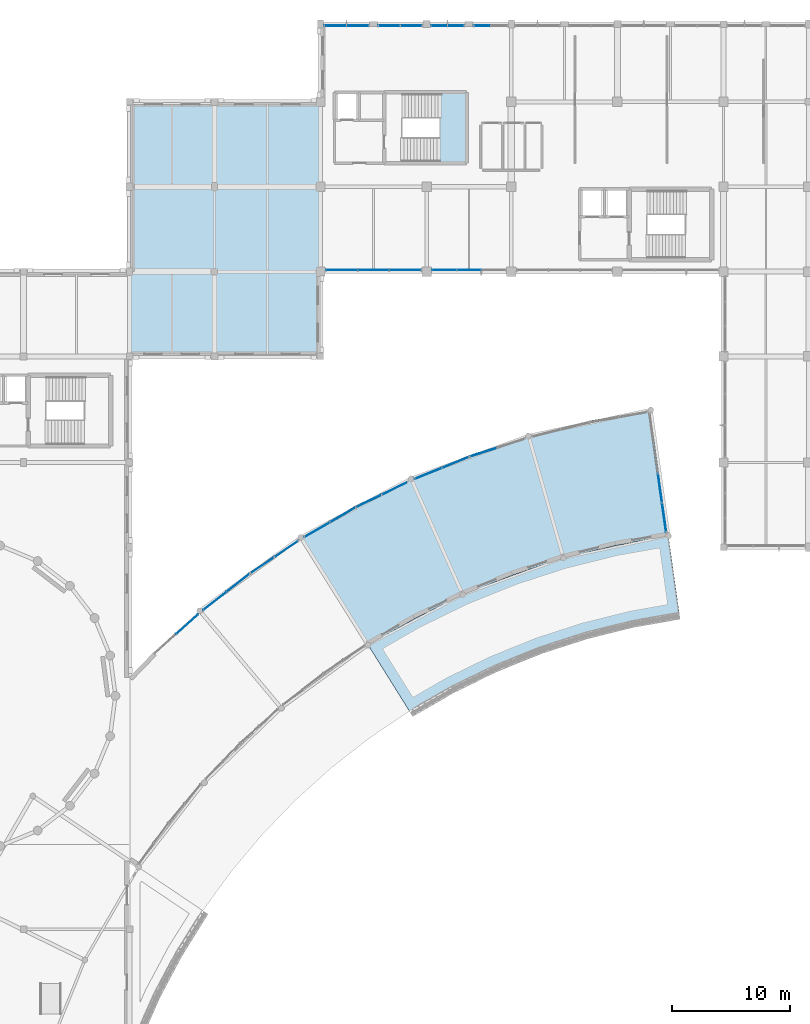
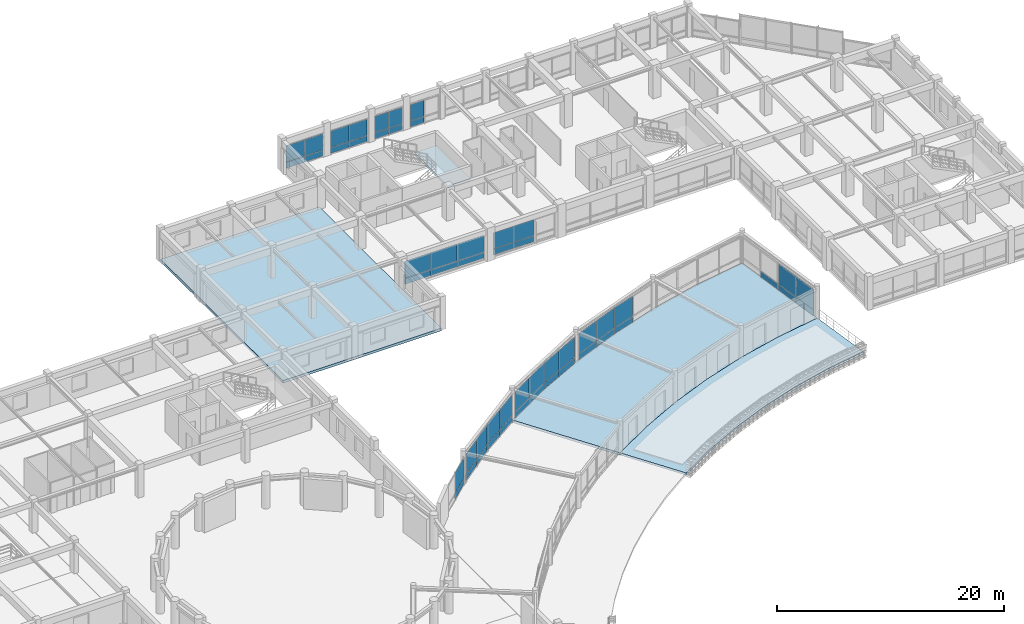
# One storey, part 46 of 74: 53 plates, 4 slabs, 16 elements without a shape of their own.
"""IFC4 building model written with IfcOpenShell, lengths in metres."""

from ifc_helpers import new_model, si_unit, direction, frame, frame_2d, origin, place, context, subcontext, project, spatial, polyline, rectangle, outline, extrude, material, layer, layer_set, type_object, element, aggregate, save


model = new_model("IFC4")

# Units and contexts
model_context = context("Model", 3, precision=1e-05, world=origin(), true_north=direction((0.0, 1.0)))
body_context = subcontext(model_context, "Body", "Model", "MODEL_VIEW")
ifc_project = project(units=[si_unit("LENGTHUNIT", "METRE"), si_unit("AREAUNIT", "SQUARE_METRE"), si_unit("VOLUMEUNIT", "CUBIC_METRE"), si_unit("PLANEANGLEUNIT", "RADIAN"), si_unit("MASSUNIT", "GRAM", prefix="KILO")], contexts=[model_context])

# Site, building, storey
site_placement = place(None, origin())
site = spatial("IfcSite", under=ifc_project, at=site_placement, CompositionType="ELEMENT")
building_placement = place(site_placement, origin())
building = spatial("IfcBuilding", under=site, at=building_placement, Name="Clarverna Civic Hall", CompositionType="ELEMENT")
storey_placement = place(building_placement, frame((0.0, 0.0, 9.60009765625)))
storey = spatial("IfcBuildingStorey", under=building, at=storey_placement, Name="L02", CompositionType="ELEMENT", Elevation=9.60009765625)

# Curtain wall, plates
ifc_material_1 = material(Name="Anodised Bronze Architectural Aluminium", Category="aluminium")
curtain_wall_type_1 = type_object("IfcCurtainWallType", Name="CW-01", PredefinedType="USERDEFINED", material=ifc_material_1)
curtain_wall_1_placement = place(storey_placement, origin())
curtain_wall_1 = element("IfcCurtainWall", 1, at=curtain_wall_1_placement, inside=storey, type_object=curtain_wall_type_1, Name="CW-01-030", ObjectType="UNITISED CURTAIN WALL", PredefinedType="USERDEFINED")
ifc_material_2 = material(Name="Solar-Control Argon Low-E Double Glazing", Category="glass")
ifc_layer_1 = layer(ifc_material_2, 0.031982421875)
ifc_layer_set_1 = layer_set([ifc_layer_1], Name="Solar-Control Argon Low-E Double Glazing")
plate_type_1 = type_object("IfcPlateType", Name="CWP-01", PredefinedType="CURTAIN_PANEL", material=ifc_layer_set_1)
plate_1_placement = place(storey_placement, frame((113.738037109375, 115.860107421875, 0.764892578125), z_axis=(0.0, 0.0, 1.0), x_axis=(1.0, 0.0, 0.0)))
plate_1 = element("IfcPlate", 2, at=plate_1_placement, type_object=plate_type_1, Name="CWP-01-244", PredefinedType="CURTAIN_PANEL", context=body_context, shape_type="SweptSolid", body=[
    extrude(rectangle(XDim=1.859375, YDim=0.031982421875, at=frame_2d((0.9296875, 0.0))), origin(), (0.0, 0.0, 1.0), 1.764892578125),
])
plate_2_placement = place(storey_placement, frame((115.62744140625, 115.860107421875, 0.764892578125), z_axis=(0.0, 0.0, 1.0), x_axis=(1.0, 0.0, 0.0)))
plate_2 = element("IfcPlate", 3, at=plate_2_placement, type_object=plate_type_1, Name="CWP-01-245", PredefinedType="CURTAIN_PANEL", context=body_context, shape_type="SweptSolid", body=[
    extrude(rectangle(XDim=1.859619140625, YDim=0.031982421875, at=frame_2d((0.9296875, 0.0))), origin(), (0.0, 0.0, 1.0), 1.764892578125),
])

curtain_wall_2_placement = place(storey_placement, origin())
curtain_wall_2 = element("IfcCurtainWall", 4, at=curtain_wall_2_placement, inside=storey, type_object=curtain_wall_type_1, Name="CW-01-031", ObjectType="UNITISED CURTAIN WALL", PredefinedType="USERDEFINED")
plate_3_placement = place(storey_placement, frame((118.31298828125, 115.860107421875, 0.764892578125), z_axis=(0.0, 0.0, 1.0), x_axis=(1.0, 0.0, 0.0)))
plate_3 = element("IfcPlate", 5, at=plate_3_placement, type_object=plate_type_1, Name="CWP-01-246", PredefinedType="CURTAIN_PANEL", context=body_context, shape_type="SweptSolid", body=[
    extrude(rectangle(XDim=1.83447265625, YDim=0.031982421875, at=frame_2d((0.917236328125, 0.0))), origin(), (0.0, 0.0, 1.0), 1.764892578125),
])
plate_4_placement = place(storey_placement, frame((120.177490234375, 115.860107421875, 0.764892578125), z_axis=(0.0, 0.0, 1.0), x_axis=(1.0, 0.0, 0.0)))
plate_4 = element("IfcPlate", 6, at=plate_4_placement, type_object=plate_type_1, Name="CWP-01-247", PredefinedType="CURTAIN_PANEL", context=body_context, shape_type="SweptSolid", body=[
    extrude(rectangle(XDim=1.83447265625, YDim=0.031982421875, at=frame_2d((0.917236328125, 0.0))), origin(), (0.0, 0.0, 1.0), 1.764892578125),
])

curtain_wall_3_placement = place(storey_placement, origin())
curtain_wall_3 = element("IfcCurtainWall", 7, at=curtain_wall_3_placement, inside=storey, type_object=curtain_wall_type_1, Name="CW-01-032", ObjectType="UNITISED CURTAIN WALL", PredefinedType="USERDEFINED")
plate_5_placement = place(storey_placement, frame((122.7880859375, 115.860107421875, 0.764892578125), z_axis=(0.0, 0.0, 1.0), x_axis=(1.0, 0.0, 0.0)))
plate_5 = element("IfcPlate", 8, at=plate_5_placement, type_object=plate_type_1, Name="CWP-01-248", PredefinedType="CURTAIN_PANEL", context=body_context, shape_type="SweptSolid", body=[
    extrude(rectangle(XDim=1.384521484375, YDim=0.031982421875, at=frame_2d((0.6923828125, 0.0))), origin(), (0.0, 0.0, 1.0), 1.764892578125),
])
plate_6_placement = place(storey_placement, frame((124.202392578125, 115.860107421875, 0.764892578125), z_axis=(0.0, 0.0, 1.0), x_axis=(1.0, 0.0, 0.0)))
plate_6 = element("IfcPlate", 9, at=plate_6_placement, type_object=plate_type_1, Name="CWP-01-249", PredefinedType="CURTAIN_PANEL", context=body_context, shape_type="SweptSolid", body=[
    extrude(rectangle(XDim=1.384521484375, YDim=0.031982421875, at=frame_2d((0.6923828125, 0.0))), origin(), (0.0, 0.0, 1.0), 1.764892578125),
])

# Curtain wall, plate
curtain_wall_4_placement = place(storey_placement, origin())
curtain_wall_4 = element("IfcCurtainWall", 10, at=curtain_wall_4_placement, inside=storey, type_object=curtain_wall_type_1, Name="CW-01-033", ObjectType="UNITISED CURTAIN WALL", PredefinedType="USERDEFINED")
plate_7_placement = place(storey_placement, frame((126.4130859375, 115.860107421875, 0.764892578125), z_axis=(0.0, 0.0, 1.0), x_axis=(1.0, 0.0, 0.0)))
plate_7 = element("IfcPlate", 11, at=plate_7_placement, type_object=plate_type_1, Name="CWP-01-250", PredefinedType="CURTAIN_PANEL", context=body_context, shape_type="SweptSolid", body=[
    extrude(rectangle(XDim=1.409423828125, YDim=0.031982421875, at=frame_2d((0.70458984375, 0.0))), origin(), (0.0, 0.0, 1.0), 1.764892578125),
])

# Curtain wall, plates
curtain_wall_5_placement = place(storey_placement, origin())
curtain_wall_5 = element("IfcCurtainWall", 12, at=curtain_wall_5_placement, inside=storey, type_object=curtain_wall_type_1, Name="CW-01-052", ObjectType="UNITISED CURTAIN WALL", PredefinedType="USERDEFINED")
plate_8_placement = place(storey_placement, frame((127.02734375, 95.139892578125, 0.764892578125), z_axis=(0.0, 0.0, 1.0), x_axis=(-1.0, 0.0, 0.0)))
plate_8 = element("IfcPlate", 13, at=plate_8_placement, type_object=plate_type_1, Name="CWP-01-296", PredefinedType="CURTAIN_PANEL", context=body_context, shape_type="SweptSolid", body=[
    extrude(rectangle(XDim=2.0546875, YDim=0.031982421875, at=frame_2d((1.02734375, 0.0))), origin(), (0.0, 0.0, 1.0), 1.72509765625),
])
plate_9_placement = place(storey_placement, frame((124.942626953125, 95.139892578125, 0.764892578125), z_axis=(0.0, 0.0, 1.0), x_axis=(-1.0, 0.0, 0.0)))
plate_9 = element("IfcPlate", 14, at=plate_9_placement, type_object=plate_type_1, Name="CWP-01-297", PredefinedType="CURTAIN_PANEL", context=body_context, shape_type="SweptSolid", body=[
    extrude(rectangle(XDim=2.0546875, YDim=0.031982421875, at=frame_2d((1.02734375, 0.0))), origin(), (0.0, 0.0, 1.0), 1.72509765625),
])

curtain_wall_6_placement = place(storey_placement, origin())
curtain_wall_6 = element("IfcCurtainWall", 15, at=curtain_wall_6_placement, inside=storey, type_object=curtain_wall_type_1, Name="CW-01-053", ObjectType="UNITISED CURTAIN WALL", PredefinedType="USERDEFINED")
plate_10_placement = place(storey_placement, frame((121.912109375, 95.139892578125, 0.764892578125), z_axis=(0.0, 0.0, 1.0), x_axis=(-1.0, 0.0, 0.0)))
plate_10 = element("IfcPlate", 16, at=plate_10_placement, type_object=plate_type_1, Name="CWP-01-298", PredefinedType="CURTAIN_PANEL", context=body_context, shape_type="SweptSolid", body=[
    extrude(rectangle(XDim=2.65478515625, YDim=0.031982421875, at=frame_2d((1.327392578125, 0.0))), origin(), (0.0, 0.0, 1.0), 1.824951171875),
])
plate_11_placement = place(storey_placement, frame((119.227294921875, 95.139892578125, 0.764892578125), z_axis=(0.0, 0.0, 1.0), x_axis=(-1.0, 0.0, 0.0)))
plate_11 = element("IfcPlate", 17, at=plate_11_placement, type_object=plate_type_1, Name="CWP-01-299", PredefinedType="CURTAIN_PANEL", context=body_context, shape_type="SweptSolid", body=[
    extrude(rectangle(XDim=2.654541015625, YDim=0.031982421875, at=frame_2d((1.3271484375, 0.0))), origin(), (0.0, 0.0, 1.0), 1.824951171875),
])
plate_12_placement = place(storey_placement, frame((116.542724609375, 95.139892578125, 0.764892578125), z_axis=(0.0, 0.0, 1.0), x_axis=(-1.0, 0.0, 0.0)))
plate_12 = element("IfcPlate", 18, at=plate_12_placement, type_object=plate_type_1, Name="CWP-01-300", PredefinedType="CURTAIN_PANEL", context=body_context, shape_type="SweptSolid", body=[
    extrude(rectangle(XDim=2.65478515625, YDim=0.031982421875, at=frame_2d((1.327392578125, 0.0))), origin(), (0.0, 0.0, 1.0), 1.824951171875),
])

# Curtain wall, plate
curtain_wall_type_2 = type_object("IfcCurtainWallType", Name="CW-03", PredefinedType="USERDEFINED", material=ifc_material_1)
curtain_wall_7_placement = place(storey_placement, origin())
curtain_wall_7 = element("IfcCurtainWall", 19, at=curtain_wall_7_placement, inside=storey, type_object=curtain_wall_type_2, Name="CW-03-048", ObjectType="UNITISED CURTAIN WALL", PredefinedType="USERDEFINED")
plate_13_placement = place(storey_placement, frame((101.1787109375, 64.257568359375, 0.764892578125), z_axis=(0.0, 0.0, 1.0), x_axis=(0.743105849105, 0.669173891471, 0.0)))
plate_13 = element("IfcPlate", 20, at=plate_13_placement, type_object=plate_type_1, Name="CWP-01-302", PredefinedType="CURTAIN_PANEL", context=body_context, shape_type="SweptSolid", body=[
    extrude(rectangle(XDim=2.4501953125, YDim=0.031982421875, at=frame_2d((1.22509765625, 0.0))), origin(), (0.0, 0.0, 1.0), 2.155029296875),
])

# Curtain wall, plates
curtain_wall_8_placement = place(storey_placement, origin())
curtain_wall_8 = element("IfcCurtainWall", 21, at=curtain_wall_8_placement, inside=storey, type_object=curtain_wall_type_2, Name="CW-03-049", ObjectType="UNITISED CURTAIN WALL", PredefinedType="USERDEFINED")
plate_14_placement = place(storey_placement, frame((103.475830078125, 66.2978515625, 0.764892578125), z_axis=(0.0, 0.0, 1.0), x_axis=(0.788019860316, 0.615649819091, 0.0)))
plate_14 = element("IfcPlate", 22, at=plate_14_placement, type_object=plate_type_1, Name="CWP-01-303", PredefinedType="CURTAIN_PANEL", context=body_context, shape_type="SweptSolid", body=[
    extrude(rectangle(XDim=2.460205078125, YDim=0.031982421875, at=frame_2d((1.22998046875, 0.0))), origin(), (0.0, 0.0, 1.0), 2.155029296875),
])
plate_15_placement = place(storey_placement, frame((105.43798828125, 67.830810546875, 0.764892578125), z_axis=(0.0, 0.0, 1.0), x_axis=(0.788019860316, 0.615649819091, 0.0)))
plate_15 = element("IfcPlate", 23, at=plate_15_placement, type_object=plate_type_1, Name="CWP-01-304", PredefinedType="CURTAIN_PANEL", context=body_context, shape_type="SweptSolid", body=[
    extrude(rectangle(XDim=2.460205078125, YDim=0.031982421875, at=frame_2d((1.22998046875, 0.0))), origin(), (0.0, 0.0, 1.0), 2.155029296875),
])

curtain_wall_9_placement = place(storey_placement, origin())
curtain_wall_9 = element("IfcCurtainWall", 24, at=curtain_wall_9_placement, inside=storey, type_object=curtain_wall_type_2, Name="CW-03-050", ObjectType="UNITISED CURTAIN WALL", PredefinedType="USERDEFINED")
plate_16_placement = place(storey_placement, frame((107.4462890625, 69.39599609375, 0.764892578125), z_axis=(0.0, 0.0, 1.0), x_axis=(0.829028871724, 0.559205802766, 0.0)))
plate_16 = element("IfcPlate", 25, at=plate_16_placement, type_object=plate_type_1, Name="CWP-01-305", PredefinedType="CURTAIN_PANEL", context=body_context, shape_type="SweptSolid", body=[
    extrude(rectangle(XDim=2.433837890625, YDim=0.031982421875, at=frame_2d((1.216796875, 0.0))), origin(), (0.0, 0.0, 1.0), 2.155029296875),
])
plate_17_placement = place(storey_placement, frame((109.489013671875, 70.773681640625, 0.764892578125), z_axis=(0.0, 0.0, 1.0), x_axis=(0.829028871724, 0.559205802766, 0.0)))
plate_17 = element("IfcPlate", 26, at=plate_17_placement, type_object=plate_type_1, Name="CWP-01-306", PredefinedType="CURTAIN_PANEL", context=body_context, shape_type="SweptSolid", body=[
    extrude(rectangle(XDim=2.433837890625, YDim=0.031982421875, at=frame_2d((1.216796875, 0.0))), origin(), (0.0, 0.0, 1.0), 2.155029296875),
])

curtain_wall_10_placement = place(storey_placement, origin())
curtain_wall_10 = element("IfcCurtainWall", 27, at=curtain_wall_10_placement, inside=storey, type_object=curtain_wall_type_2, Name="CW-03-051", ObjectType="UNITISED CURTAIN WALL", PredefinedType="USERDEFINED")
plate_18_placement = place(storey_placement, frame((112.0576171875, 72.4814453125, 0.764892578125), z_axis=(0.0, 0.0, 1.0), x_axis=(0.86603204091, 0.499988503985, 0.0)))
plate_18 = element("IfcPlate", 28, at=plate_18_placement, type_object=plate_type_1, Name="CWP-01-307", PredefinedType="CURTAIN_PANEL", context=body_context, shape_type="SweptSolid", body=[
    extrude(rectangle(XDim=2.46240234375, YDim=0.031982421875, at=frame_2d((1.231201171875, 0.0))), origin(), (0.0, 0.0, 1.0), 2.155029296875),
])
plate_19_placement = place(storey_placement, frame((114.216064453125, 73.7275390625, 0.764892578125), z_axis=(0.0, 0.0, 1.0), x_axis=(0.86603204091, 0.499988503985, 0.0)))
plate_19 = element("IfcPlate", 29, at=plate_19_placement, type_object=plate_type_1, Name="CWP-01-308", PredefinedType="CURTAIN_PANEL", context=body_context, shape_type="SweptSolid", body=[
    extrude(rectangle(XDim=2.46240234375, YDim=0.031982421875, at=frame_2d((1.231201171875, 0.0))), origin(), (0.0, 0.0, 1.0), 2.155029296875),
])

curtain_wall_11_placement = place(storey_placement, origin())
curtain_wall_11 = element("IfcCurtainWall", 30, at=curtain_wall_11_placement, inside=storey, type_object=curtain_wall_type_2, Name="CW-03-052", ObjectType="UNITISED CURTAIN WALL", PredefinedType="USERDEFINED")
plate_20_placement = place(storey_placement, frame((116.4248046875, 74.999267578125, 0.764892578125), z_axis=(0.0, 0.0, 1.0), x_axis=(0.898794818419, 0.438369563705, 0.0)))
plate_20 = element("IfcPlate", 31, at=plate_20_placement, type_object=plate_type_1, Name="CWP-01-309", PredefinedType="CURTAIN_PANEL", context=body_context, shape_type="SweptSolid", body=[
    extrude(rectangle(XDim=2.402099609375, YDim=0.031982421875, at=frame_2d((1.201171875, 0.0))), origin(), (0.0, 0.0, 1.0), 2.155029296875),
])
plate_21_placement = place(storey_placement, frame((118.610595703125, 76.0654296875, 0.764892578125), z_axis=(0.0, 0.0, 1.0), x_axis=(0.898794818419, 0.438369563705, 0.0)))
plate_21 = element("IfcPlate", 32, at=plate_21_placement, type_object=plate_type_1, Name="CWP-01-310", PredefinedType="CURTAIN_PANEL", context=body_context, shape_type="SweptSolid", body=[
    extrude(rectangle(XDim=2.402099609375, YDim=0.031982421875, at=frame_2d((1.201171875, 0.0))), origin(), (0.0, 0.0, 1.0), 2.155029296875),
])

curtain_wall_12_placement = place(storey_placement, origin())
curtain_wall_12 = element("IfcCurtainWall", 33, at=curtain_wall_12_placement, inside=storey, type_object=curtain_wall_type_2, Name="CW-03-053", ObjectType="UNITISED CURTAIN WALL", PredefinedType="USERDEFINED")
plate_22_placement = place(storey_placement, frame((121.422607421875, 77.413818359375, 0.764892578125), z_axis=(0.0, 0.0, 1.0), x_axis=(0.927198777068, 0.374569656811, 0.0)))
plate_22 = element("IfcPlate", 34, at=plate_22_placement, type_object=plate_type_1, Name="CWP-01-311", PredefinedType="CURTAIN_PANEL", context=body_context, shape_type="SweptSolid", body=[
    extrude(rectangle(XDim=2.461181640625, YDim=0.031982421875, at=frame_2d((1.23046875, 0.0))), origin(), (0.0, 0.0, 1.0), 2.155029296875),
])
plate_23_placement = place(storey_placement, frame((123.732421875, 78.346923828125, 0.764892578125), z_axis=(0.0, 0.0, 1.0), x_axis=(0.927198777068, 0.374569656811, 0.0)))
plate_23 = element("IfcPlate", 35, at=plate_23_placement, type_object=plate_type_1, Name="CWP-01-312", PredefinedType="CURTAIN_PANEL", context=body_context, shape_type="SweptSolid", body=[
    extrude(rectangle(XDim=2.461181640625, YDim=0.031982421875, at=frame_2d((1.23046875, 0.0))), origin(), (0.0, 0.0, 1.0), 2.155029296875),
])

# Curtain wall, plate
curtain_wall_13_placement = place(storey_placement, origin())
curtain_wall_13 = element("IfcCurtainWall", 36, at=curtain_wall_13_placement, inside=storey, type_object=curtain_wall_type_2, Name="CW-03-054", ObjectType="UNITISED CURTAIN WALL", PredefinedType="USERDEFINED")
plate_24_placement = place(storey_placement, frame((126.095458984375, 79.29833984375, 0.764892578125), z_axis=(0.0, 0.0, 1.0), x_axis=(0.951042986681, 0.309058631146, 0.0)))
plate_24 = element("IfcPlate", 37, at=plate_24_placement, type_object=plate_type_1, Name="CWP-01-313", PredefinedType="CURTAIN_PANEL", context=body_context, shape_type="SweptSolid", body=[
    extrude(rectangle(XDim=2.4140625, YDim=0.031982421875, at=frame_2d((1.20703125, 0.0))), origin(), (0.0, 0.0, 1.0), 2.155029296875),
])

# Curtain wall, plates
curtain_wall_14_placement = place(storey_placement, origin())
curtain_wall_14 = element("IfcCurtainWall", 38, at=curtain_wall_14_placement, inside=storey, type_object=curtain_wall_type_2, Name="CW-03-058", ObjectType="UNITISED CURTAIN WALL", PredefinedType="USERDEFINED")
plate_25_placement = place(storey_placement, frame((142.04248046875, 77.845947265625, 0.764892578125), z_axis=(0.0, 0.0, 1.0), x_axis=(0.139161338364, -0.990269721795, 0.0)))
plate_25 = element("IfcPlate", 39, at=plate_25_placement, type_object=plate_type_1, Name="CWP-01-321", PredefinedType="CURTAIN_PANEL", context=body_context, shape_type="SweptSolid", body=[
    extrude(rectangle(XDim=2.480712890625, YDim=0.031982421875, at=frame_2d((1.240234375, 0.0))), origin(), (0.0, 0.0, 1.0), 2.175048828125),
])
plate_26_placement = place(storey_placement, frame((142.391845703125, 75.359619140625, 0.764892578125), z_axis=(0.0, 0.0, 1.0), x_axis=(0.139161338364, -0.990269721795, 0.0)))
plate_26 = element("IfcPlate", 40, at=plate_26_placement, type_object=plate_type_1, Name="CWP-01-322", PredefinedType="CURTAIN_PANEL", context=body_context, shape_type="SweptSolid", body=[
    extrude(rectangle(XDim=2.480712890625, YDim=0.031982421875, at=frame_2d((1.240234375, 0.0))), origin(), (0.0, 0.0, 1.0), 2.175048828125),
])

# Plate
ifc_material_3 = material(Name="Insulated Anodised Bronze Spandrel Panel", Category="aluminium")
ifc_layer_2 = layer(ifc_material_3, 0.048095703125)
ifc_layer_set_2 = layer_set([ifc_layer_2], Name="Insulated Anodised Bronze Spandrel Panel")
plate_type_2 = type_object("IfcPlateType", Name="CWP-03", PredefinedType="CURTAIN_PANEL", material=ifc_layer_set_2)
plate_27_placement = place(storey_placement, frame((113.738037109375, 115.860107421875, 0.10986328125), z_axis=(0.0, 0.0, 1.0), x_axis=(1.0, 0.0, 0.0)))
plate_27 = element("IfcPlate", 41, at=plate_27_placement, type_object=plate_type_2, Name="CWP-03-246", PredefinedType="CURTAIN_PANEL", context=body_context, shape_type="SweptSolid", body=[
    extrude(rectangle(XDim=1.859375, YDim=0.048095703125, at=frame_2d((0.9296875, 0.0))), origin(), (0.0, 0.0, 1.0), 0.625),
])

plate_28_placement = place(storey_placement, frame((115.62744140625, 115.860107421875, 0.10986328125), z_axis=(0.0, 0.0, 1.0), x_axis=(1.0, 0.0, 0.0)))
plate_28 = element("IfcPlate", 42, at=plate_28_placement, type_object=plate_type_2, Name="CWP-03-247", PredefinedType="CURTAIN_PANEL", context=body_context, shape_type="SweptSolid", body=[
    extrude(rectangle(XDim=1.859619140625, YDim=0.048095703125, at=frame_2d((0.9296875, 0.0))), origin(), (0.0, 0.0, 1.0), 0.625),
])

aggregate(curtain_wall_1, [plate_27, plate_1, plate_28, plate_2])

plate_29_placement = place(storey_placement, frame((118.31298828125, 115.860107421875, 0.10986328125), z_axis=(0.0, 0.0, 1.0), x_axis=(1.0, 0.0, 0.0)))
plate_29 = element("IfcPlate", 43, at=plate_29_placement, type_object=plate_type_2, Name="CWP-03-248", PredefinedType="CURTAIN_PANEL", context=body_context, shape_type="SweptSolid", body=[
    extrude(rectangle(XDim=1.83447265625, YDim=0.048095703125, at=frame_2d((0.917236328125, 0.0))), origin(), (0.0, 0.0, 1.0), 0.625),
])

plate_30_placement = place(storey_placement, frame((120.177490234375, 115.860107421875, 0.10986328125), z_axis=(0.0, 0.0, 1.0), x_axis=(1.0, 0.0, 0.0)))
plate_30 = element("IfcPlate", 44, at=plate_30_placement, type_object=plate_type_2, Name="CWP-03-249", PredefinedType="CURTAIN_PANEL", context=body_context, shape_type="SweptSolid", body=[
    extrude(rectangle(XDim=1.83447265625, YDim=0.048095703125, at=frame_2d((0.917236328125, 0.0))), origin(), (0.0, 0.0, 1.0), 0.625),
])

aggregate(curtain_wall_2, [plate_29, plate_3, plate_30, plate_4])

plate_31_placement = place(storey_placement, frame((122.7880859375, 115.860107421875, 0.10986328125), z_axis=(0.0, 0.0, 1.0), x_axis=(1.0, 0.0, 0.0)))
plate_31 = element("IfcPlate", 45, at=plate_31_placement, type_object=plate_type_2, Name="CWP-03-250", PredefinedType="CURTAIN_PANEL", context=body_context, shape_type="SweptSolid", body=[
    extrude(rectangle(XDim=1.384521484375, YDim=0.048095703125, at=frame_2d((0.6923828125, 0.0))), origin(), (0.0, 0.0, 1.0), 0.625),
])

plate_32_placement = place(storey_placement, frame((124.202392578125, 115.860107421875, 0.10986328125), z_axis=(0.0, 0.0, 1.0), x_axis=(1.0, 0.0, 0.0)))
plate_32 = element("IfcPlate", 46, at=plate_32_placement, type_object=plate_type_2, Name="CWP-03-251", PredefinedType="CURTAIN_PANEL", context=body_context, shape_type="SweptSolid", body=[
    extrude(rectangle(XDim=1.384521484375, YDim=0.048095703125, at=frame_2d((0.6923828125, 0.0))), origin(), (0.0, 0.0, 1.0), 0.625),
])

aggregate(curtain_wall_3, [plate_31, plate_5, plate_32, plate_6])

plate_33_placement = place(storey_placement, frame((126.4130859375, 115.860107421875, 0.10986328125), z_axis=(0.0, 0.0, 1.0), x_axis=(1.0, 0.0, 0.0)))
plate_33 = element("IfcPlate", 47, at=plate_33_placement, type_object=plate_type_2, Name="CWP-03-252", PredefinedType="CURTAIN_PANEL", context=body_context, shape_type="SweptSolid", body=[
    extrude(rectangle(XDim=1.409423828125, YDim=0.048095703125, at=frame_2d((0.70458984375, 0.0))), origin(), (0.0, 0.0, 1.0), 0.625),
])

aggregate(curtain_wall_4, [plate_33, plate_7])

plate_34_placement = place(storey_placement, frame((127.02734375, 95.139892578125, 0.10986328125), z_axis=(0.0, 0.0, 1.0), x_axis=(-1.0, 0.0, 0.0)))
plate_34 = element("IfcPlate", 48, at=plate_34_placement, type_object=plate_type_2, Name="CWP-03-298", PredefinedType="CURTAIN_PANEL", context=body_context, shape_type="SweptSolid", body=[
    extrude(rectangle(XDim=2.0546875, YDim=0.048095703125, at=frame_2d((1.02734375, 0.0))), origin(), (0.0, 0.0, 1.0), 0.625),
])

plate_35_placement = place(storey_placement, frame((124.942626953125, 95.139892578125, 0.10986328125), z_axis=(0.0, 0.0, 1.0), x_axis=(-1.0, 0.0, 0.0)))
plate_35 = element("IfcPlate", 49, at=plate_35_placement, type_object=plate_type_2, Name="CWP-03-299", PredefinedType="CURTAIN_PANEL", context=body_context, shape_type="SweptSolid", body=[
    extrude(rectangle(XDim=2.0546875, YDim=0.048095703125, at=frame_2d((1.02734375, 0.0))), origin(), (0.0, 0.0, 1.0), 0.625),
])

aggregate(curtain_wall_5, [plate_34, plate_8, plate_35, plate_9])

plate_36_placement = place(storey_placement, frame((121.912109375, 95.139892578125, 0.10986328125), z_axis=(0.0, 0.0, 1.0), x_axis=(-1.0, 0.0, 0.0)))
plate_36 = element("IfcPlate", 50, at=plate_36_placement, type_object=plate_type_2, Name="CWP-03-300", PredefinedType="CURTAIN_PANEL", context=body_context, shape_type="SweptSolid", body=[
    extrude(rectangle(XDim=2.65478515625, YDim=0.048095703125, at=frame_2d((1.327392578125, 0.0))), origin(), (0.0, 0.0, 1.0), 0.625),
])

plate_37_placement = place(storey_placement, frame((119.227294921875, 95.139892578125, 0.10986328125), z_axis=(0.0, 0.0, 1.0), x_axis=(-1.0, 0.0, 0.0)))
plate_37 = element("IfcPlate", 51, at=plate_37_placement, type_object=plate_type_2, Name="CWP-03-301", PredefinedType="CURTAIN_PANEL", context=body_context, shape_type="SweptSolid", body=[
    extrude(rectangle(XDim=2.654541015625, YDim=0.048095703125, at=frame_2d((1.3271484375, 0.0))), origin(), (0.0, 0.0, 1.0), 0.625),
])

plate_38_placement = place(storey_placement, frame((116.542724609375, 95.139892578125, 0.10986328125), z_axis=(0.0, 0.0, 1.0), x_axis=(-1.0, 0.0, 0.0)))
plate_38 = element("IfcPlate", 52, at=plate_38_placement, type_object=plate_type_2, Name="CWP-03-302", PredefinedType="CURTAIN_PANEL", context=body_context, shape_type="SweptSolid", body=[
    extrude(rectangle(XDim=2.65478515625, YDim=0.048095703125, at=frame_2d((1.327392578125, 0.0))), origin(), (0.0, 0.0, 1.0), 0.625),
])

aggregate(curtain_wall_6, [plate_36, plate_10, plate_37, plate_11, plate_38, plate_12])

plate_39_placement = place(storey_placement, frame((101.1787109375, 64.257568359375, 0.10986328125), z_axis=(0.0, 0.0, 1.0), x_axis=(0.743105849105, 0.669173891471, 0.0)))
plate_39 = element("IfcPlate", 53, at=plate_39_placement, type_object=plate_type_2, Name="CWP-03-304", PredefinedType="CURTAIN_PANEL", context=body_context, shape_type="SweptSolid", body=[
    extrude(rectangle(XDim=2.4501953125, YDim=0.048095703125, at=frame_2d((1.22509765625, 0.0))), origin(), (0.0, 0.0, 1.0), 0.625),
])

aggregate(curtain_wall_7, [plate_39, plate_13])

plate_40_placement = place(storey_placement, frame((103.475830078125, 66.2978515625, 0.10986328125), z_axis=(0.0, 0.0, 1.0), x_axis=(0.788019860316, 0.615649819091, 0.0)))
plate_40 = element("IfcPlate", 54, at=plate_40_placement, type_object=plate_type_2, Name="CWP-03-305", PredefinedType="CURTAIN_PANEL", context=body_context, shape_type="SweptSolid", body=[
    extrude(rectangle(XDim=2.460205078125, YDim=0.048095703125, at=frame_2d((1.22998046875, 0.0))), origin(), (0.0, 0.0, 1.0), 0.625),
])

plate_41_placement = place(storey_placement, frame((105.43798828125, 67.830810546875, 0.10986328125), z_axis=(0.0, 0.0, 1.0), x_axis=(0.788019860316, 0.615649819091, 0.0)))
plate_41 = element("IfcPlate", 55, at=plate_41_placement, type_object=plate_type_2, Name="CWP-03-306", PredefinedType="CURTAIN_PANEL", context=body_context, shape_type="SweptSolid", body=[
    extrude(rectangle(XDim=2.460205078125, YDim=0.048095703125, at=frame_2d((1.22998046875, 0.0))), origin(), (0.0, 0.0, 1.0), 0.625),
])

aggregate(curtain_wall_8, [plate_40, plate_14, plate_41, plate_15])

plate_42_placement = place(storey_placement, frame((107.4462890625, 69.39599609375, 0.10986328125), z_axis=(0.0, 0.0, 1.0), x_axis=(0.829028871724, 0.559205802766, 0.0)))
plate_42 = element("IfcPlate", 56, at=plate_42_placement, type_object=plate_type_2, Name="CWP-03-307", PredefinedType="CURTAIN_PANEL", context=body_context, shape_type="SweptSolid", body=[
    extrude(rectangle(XDim=2.433837890625, YDim=0.048095703125, at=frame_2d((1.216796875, 0.0))), origin(), (0.0, 0.0, 1.0), 0.625),
])

plate_43_placement = place(storey_placement, frame((109.489013671875, 70.773681640625, 0.10986328125), z_axis=(0.0, 0.0, 1.0), x_axis=(0.829028871724, 0.559205802766, 0.0)))
plate_43 = element("IfcPlate", 57, at=plate_43_placement, type_object=plate_type_2, Name="CWP-03-308", PredefinedType="CURTAIN_PANEL", context=body_context, shape_type="SweptSolid", body=[
    extrude(rectangle(XDim=2.433837890625, YDim=0.048095703125, at=frame_2d((1.216796875, 0.0))), origin(), (0.0, 0.0, 1.0), 0.625),
])

aggregate(curtain_wall_9, [plate_42, plate_16, plate_43, plate_17])

plate_44_placement = place(storey_placement, frame((112.0576171875, 72.4814453125, 0.10986328125), z_axis=(0.0, 0.0, 1.0), x_axis=(0.86603204091, 0.499988503985, 0.0)))
plate_44 = element("IfcPlate", 58, at=plate_44_placement, type_object=plate_type_2, Name="CWP-03-309", PredefinedType="CURTAIN_PANEL", context=body_context, shape_type="SweptSolid", body=[
    extrude(rectangle(XDim=2.46240234375, YDim=0.048095703125, at=frame_2d((1.231201171875, 0.0))), origin(), (0.0, 0.0, 1.0), 0.625),
])

plate_45_placement = place(storey_placement, frame((114.216064453125, 73.7275390625, 0.10986328125), z_axis=(0.0, 0.0, 1.0), x_axis=(0.86603204091, 0.499988503985, 0.0)))
plate_45 = element("IfcPlate", 59, at=plate_45_placement, type_object=plate_type_2, Name="CWP-03-310", PredefinedType="CURTAIN_PANEL", context=body_context, shape_type="SweptSolid", body=[
    extrude(rectangle(XDim=2.46240234375, YDim=0.048095703125, at=frame_2d((1.231201171875, 0.0))), origin(), (0.0, 0.0, 1.0), 0.625),
])

aggregate(curtain_wall_10, [plate_44, plate_18, plate_45, plate_19])

plate_46_placement = place(storey_placement, frame((116.4248046875, 74.999267578125, 0.10986328125), z_axis=(0.0, 0.0, 1.0), x_axis=(0.898794818419, 0.438369563705, 0.0)))
plate_46 = element("IfcPlate", 60, at=plate_46_placement, type_object=plate_type_2, Name="CWP-03-311", PredefinedType="CURTAIN_PANEL", context=body_context, shape_type="SweptSolid", body=[
    extrude(rectangle(XDim=2.402099609375, YDim=0.048095703125, at=frame_2d((1.201171875, 0.0))), origin(), (0.0, 0.0, 1.0), 0.625),
])

plate_47_placement = place(storey_placement, frame((118.610595703125, 76.0654296875, 0.10986328125), z_axis=(0.0, 0.0, 1.0), x_axis=(0.898794818419, 0.438369563705, 0.0)))
plate_47 = element("IfcPlate", 61, at=plate_47_placement, type_object=plate_type_2, Name="CWP-03-312", PredefinedType="CURTAIN_PANEL", context=body_context, shape_type="SweptSolid", body=[
    extrude(rectangle(XDim=2.402099609375, YDim=0.048095703125, at=frame_2d((1.201171875, 0.0))), origin(), (0.0, 0.0, 1.0), 0.625),
])

aggregate(curtain_wall_11, [plate_46, plate_20, plate_47, plate_21])

plate_48_placement = place(storey_placement, frame((121.422607421875, 77.413818359375, 0.10986328125), z_axis=(0.0, 0.0, 1.0), x_axis=(0.927198777068, 0.374569656811, 0.0)))
plate_48 = element("IfcPlate", 62, at=plate_48_placement, type_object=plate_type_2, Name="CWP-03-313", PredefinedType="CURTAIN_PANEL", context=body_context, shape_type="SweptSolid", body=[
    extrude(rectangle(XDim=2.461181640625, YDim=0.048095703125, at=frame_2d((1.23046875, 0.0))), origin(), (0.0, 0.0, 1.0), 0.625),
])

plate_49_placement = place(storey_placement, frame((123.732421875, 78.346923828125, 0.10986328125), z_axis=(0.0, 0.0, 1.0), x_axis=(0.927198777068, 0.374569656811, 0.0)))
plate_49 = element("IfcPlate", 63, at=plate_49_placement, type_object=plate_type_2, Name="CWP-03-314", PredefinedType="CURTAIN_PANEL", context=body_context, shape_type="SweptSolid", body=[
    extrude(rectangle(XDim=2.461181640625, YDim=0.048095703125, at=frame_2d((1.23046875, 0.0))), origin(), (0.0, 0.0, 1.0), 0.625),
])

aggregate(curtain_wall_12, [plate_48, plate_22, plate_49, plate_23])

plate_50_placement = place(storey_placement, frame((126.095458984375, 79.29833984375, 0.10986328125), z_axis=(0.0, 0.0, 1.0), x_axis=(0.951042986681, 0.309058631146, 0.0)))
plate_50 = element("IfcPlate", 64, at=plate_50_placement, type_object=plate_type_2, Name="CWP-03-315", PredefinedType="CURTAIN_PANEL", context=body_context, shape_type="SweptSolid", body=[
    extrude(rectangle(XDim=2.4140625, YDim=0.048095703125, at=frame_2d((1.20703125, 0.0))), origin(), (0.0, 0.0, 1.0), 0.625),
])

aggregate(curtain_wall_13, [plate_50, plate_24])

# Curtain wall, plate
curtain_wall_15_placement = place(storey_placement, origin())
curtain_wall_15 = element("IfcCurtainWall", 65, at=curtain_wall_15_placement, inside=storey, type_object=curtain_wall_type_2, Name="CW-03-057", ObjectType="UNITISED CURTAIN WALL", PredefinedType="USERDEFINED")
plate_51_placement = place(storey_placement, frame((141.680908203125, 80.4169921875, 0.10986328125), z_axis=(0.0, 0.0, 1.0), x_axis=(0.139247350511, -0.990257630809, 0.0)))
plate_51 = element("IfcPlate", 66, at=plate_51_placement, type_object=plate_type_2, Name="CWP-03-322", PredefinedType="CURTAIN_PANEL", context=body_context, shape_type="SweptSolid", body=[
    extrude(rectangle(XDim=2.500244140625, YDim=0.048095703125, at=frame_2d((1.25, 0.0))), origin(), (0.0, 0.0, 1.0), 0.625),
])
aggregate(curtain_wall_15, [plate_51])

# Plate
plate_52_placement = place(storey_placement, frame((142.04248046875, 77.845947265625, 0.10986328125), z_axis=(0.0, 0.0, 1.0), x_axis=(0.139161338364, -0.990269721795, 0.0)))
plate_52 = element("IfcPlate", 67, at=plate_52_placement, type_object=plate_type_2, Name="CWP-03-323", PredefinedType="CURTAIN_PANEL", context=body_context, shape_type="SweptSolid", body=[
    extrude(rectangle(XDim=2.480712890625, YDim=0.048095703125, at=frame_2d((1.240234375, 0.0))), origin(), (0.0, 0.0, 1.0), 0.625),
])

plate_53_placement = place(storey_placement, frame((142.391845703125, 75.359619140625, 0.10986328125), z_axis=(0.0, 0.0, 1.0), x_axis=(0.139161338364, -0.990269721795, 0.0)))
plate_53 = element("IfcPlate", 68, at=plate_53_placement, type_object=plate_type_2, Name="CWP-03-324", PredefinedType="CURTAIN_PANEL", context=body_context, shape_type="SweptSolid", body=[
    extrude(rectangle(XDim=2.480712890625, YDim=0.048095703125, at=frame_2d((1.240234375, 0.0))), origin(), (0.0, 0.0, 1.0), 0.625),
])

aggregate(curtain_wall_14, [plate_52, plate_25, plate_53, plate_26])

# Slabs
ifc_material_4 = material(Name="Concrete C30/37", Category="concrete")
ifc_layer_3 = layer(ifc_material_4, 0.280029296875)
ifc_layer_set_3 = layer_set([ifc_layer_3], Name="Concrete C30/37")
slab_type_1 = type_object("IfcSlabType", Name="SL-FL4", PredefinedType="FLOOR", material=ifc_layer_set_3)
slab_1_placement = place(storey_placement, frame((0.0, 0.0, -0.280029296875)))
element("IfcSlab", 69, at=slab_1_placement, inside=storey, type_object=slab_type_1, Name="SL-FL4-006", PredefinedType="FLOOR", context=body_context, shape_type="SweptSolid", body=[
    extrude(outline(polyline([(113.39990234375, 109.39990234375), (97.22509765625, 109.39990234375), (97.22509765625, 87.800048828125), (113.39990234375, 87.800048828125), (113.39990234375, 95.0), (113.39990234375, 109.39990234375)])), origin(), (0.0, 0.0, 1.0), 0.280029296875),
])
slab_2_placement = place(storey_placement, frame((0.0, 0.0, -0.280029296875)))
element("IfcSlab", 70, at=slab_2_placement, inside=storey, type_object=slab_type_1, Name="SL-FL4-007", PredefinedType="FLOOR", context=body_context, shape_type="SweptSolid", body=[
    extrude(outline(polyline([(134.0283203125, 70.67431640625), (138.444091796875, 71.775146484375), (142.92578125, 72.5654296875), (141.4228515625, 83.260498046875), (136.19873046875, 82.339111328125), (131.051513671875, 81.055908203125), (126.006591796875, 79.41650390625), (121.087890625, 77.429443359375), (116.3203125, 75.10400390625), (111.72607421875, 72.45166015625), (117.44921875, 63.292724609375), (121.390380859375, 65.568115234375), (125.480712890625, 67.563232421875), (129.7001953125, 69.26806640625), (134.0283203125, 70.67431640625)])), origin(), (0.0, 0.0, 1.0), 0.280029296875),
])

# Stair, slab
stair_type = type_object("IfcStairType", Name="ST-H1", PredefinedType="HALF_TURN_STAIR", material=ifc_material_4)
stair_placement = place(storey_placement, origin())
stair = element("IfcStair", 71, at=stair_placement, inside=storey, type_object=stair_type, Name="ST-H1:L02:0020", PredefinedType="HALF_TURN_STAIR")
ifc_layer_4 = layer(ifc_material_4, 0.199951171875)
ifc_layer_set_4 = layer_set([ifc_layer_4], Name="Concrete C30/37")
slab_type_2 = type_object("IfcSlabType", Name="SL-LD1", PredefinedType="LANDING", material=ifc_layer_set_4)
slab_3_placement = place(storey_placement, frame((0.0, 0.0, 1.599853515625)))
slab_3 = element("IfcSlab", 72, at=slab_3_placement, type_object=slab_type_2, Name="SL-LD1-041", PredefinedType="LANDING", context=body_context, shape_type="SweptSolid", body=[
    extrude(outline(polyline([(123.5400390625, 104.219970703125), (125.85009765625, 104.219970703125), (125.85009765625, 110.179931640625), (123.5400390625, 110.179931640625), (123.5400390625, 104.219970703125)])), origin(), (0.0, 0.0, 1.0), 0.199951171875),
])
aggregate(stair, [slab_3])

# Slab
ifc_layer_5 = layer(ifc_material_4, 0.239990234375)
ifc_layer_set_5 = layer_set([ifc_layer_5], Name="Concrete C30/37")
slab_type_3 = type_object("IfcSlabType", Name="SL-TR1", PredefinedType="FLOOR", material=ifc_layer_set_5)
slab_4_placement = place(storey_placement, frame((0.0, 0.0, -0.239990234375)))
element("IfcSlab", 73, at=slab_4_placement, inside=storey, type_object=slab_type_3, Name="SL-TR1-004", PredefinedType="FLOOR", context=body_context, shape_type="SweptSolid", body=[
    extrude(outline(polyline([(135.84765625, 64.329833984375), (139.81640625, 65.3193359375), (143.844482421875, 66.02978515625), (142.92578125, 72.5654296875), (138.444091796875, 71.775146484375), (134.0283203125, 70.67431640625), (129.7001953125, 69.26806640625), (125.480712890625, 67.563232421875), (121.390380859375, 65.568115234375), (117.44921875, 63.292724609375), (120.94677734375, 57.695556640625), (124.489013671875, 59.74072265625), (128.165283203125, 61.53369140625), (131.95751953125, 63.06591796875), (135.84765625, 64.329833984375)])), origin(), (0.0, 0.0, 1.0), 0.239990234375),
])

save(model, "model.ifc")
